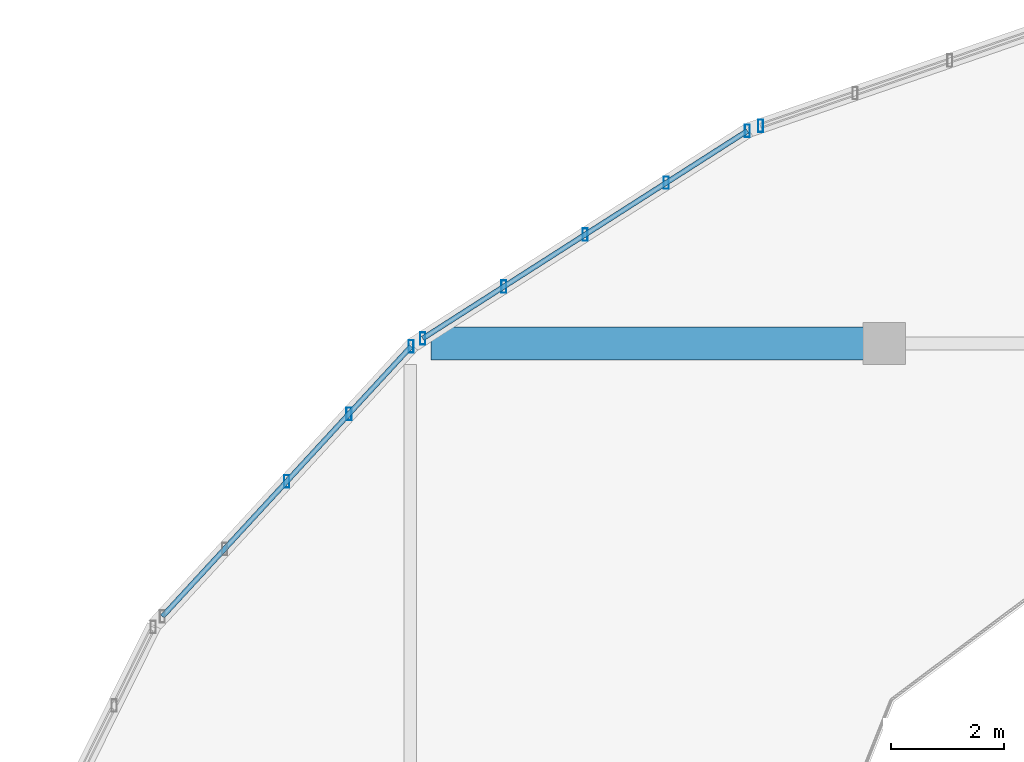
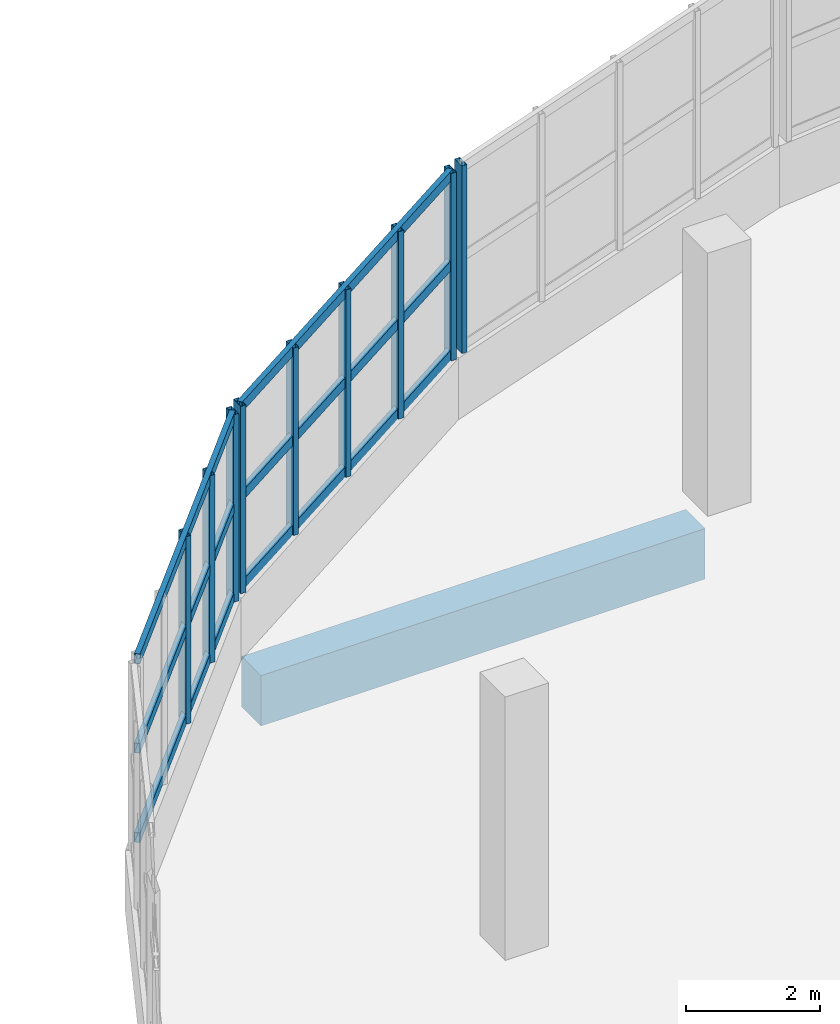
# One storey, part 14 of 77: 15 members, 1 beam, 3 elements without a shape of their own.
"""IFC4 building model written with IfcOpenShell, lengths in metres."""

from ifc_helpers import new_model, si_unit, direction, frame, origin, origin_2d, place, context, subcontext, project, spatial, rectangle, hollow_rectangle, extrude, material, material_profile, profile_set, type_object, element, aggregate, save


model = new_model("IFC4")

# Units and contexts
model_context = context("Model", 3, precision=1e-05, world=origin(), true_north=direction((0.0, 1.0)))
body_context = subcontext(model_context, "Body", "Model", "MODEL_VIEW")
ifc_project = project(units=[si_unit("LENGTHUNIT", "METRE"), si_unit("AREAUNIT", "SQUARE_METRE"), si_unit("VOLUMEUNIT", "CUBIC_METRE"), si_unit("PLANEANGLEUNIT", "RADIAN"), si_unit("MASSUNIT", "GRAM", prefix="KILO")], contexts=[model_context])

# Site, building, storey
site_placement = place(None, origin())
site = spatial("IfcSite", under=ifc_project, at=site_placement, CompositionType="ELEMENT")
building_placement = place(site_placement, origin())
building = spatial("IfcBuilding", under=site, at=building_placement, Name="Solvento Point Concert Hall", CompositionType="ELEMENT")
storey_placement = place(building_placement, frame((0.0, 0.0, 10.199951171875)))
storey = spatial("IfcBuildingStorey", under=building, at=storey_placement, Name="L02", CompositionType="ELEMENT", Elevation=10.199951171875)

# Beam
ifc_material_1 = material(Name="Concrete C35/45", Category="concrete")
ifc_material_profile_1 = material_profile(ifc_material_1, rectangle(XDim=0.580078125, YDim=0.919921875, at=origin_2d()), Name="RC-BM-580X920")
ifc_profile_set_1 = profile_set([ifc_material_profile_1], Name="Concrete C35/45")
beam_type = type_object("IfcBeamType", Name="Girder_RC_580x920", PredefinedType="USERDEFINED", material=ifc_profile_set_1)
beam_placement = place(storey_placement, frame((41.1689453125, 51.0, -0.73388671875), z_axis=(1.0, 0.0, 0.0), x_axis=(0.0, 1.0, 0.0)))
element("IfcBeam", 1, at=beam_placement, inside=storey, type_object=beam_type, Name="Primary girder B-95 L02", ObjectType="GIRDER", PredefinedType="USERDEFINED", context=body_context, shape_type="SweptSolid", body=[
    extrude(rectangle(XDim=0.580078125, YDim=0.919921875, at=origin_2d()), origin(), (0.0, 0.0, 1.0), 7.662109375),
])

# Curtain wall, members
ifc_material_2 = material(Name="Anodized Bronze Aluminium", Category="aluminium")
curtain_wall_type = type_object("IfcCurtainWallType", Name="CurtainWall_RingRibbon_L01_02", PredefinedType="USERDEFINED", material=ifc_material_2)
curtain_wall_1_placement = place(storey_placement, origin())
curtain_wall_1 = element("IfcCurtainWall", 2, at=curtain_wall_1_placement, inside=storey, type_object=curtain_wall_type, Name="Unitised curtain wall CW-59 UCW-L02-172", ObjectType="UNITISED CURTAIN WALL", PredefinedType="USERDEFINED")
ifc_material_3 = material(Name="Anodized Bronze Aluminium", Category="aluminium")
ifc_material_profile_2 = material_profile(ifc_material_3, hollow_rectangle(XDim=0.090087890625, YDim=0.219970703125, WallThickness=0.00439453125, at=origin_2d()), Name="CW-MUL-90X220")
ifc_profile_set_2 = profile_set([ifc_material_profile_2], Name="Anodized Bronze Aluminium")
member_type_1 = type_object("IfcMemberType", Name="Mullion_90x220", PredefinedType="MULLION", material=ifc_profile_set_2)
member_1_placement = place(storey_placement, frame((38.611083984375, 48.55517578125, 1.1201171875), z_axis=(0.0, 0.0, 1.0), x_axis=(1.0, 0.0, 0.0)))
member_1 = element("IfcMember", 3, at=member_1_placement, type_object=member_type_1, Name="Curtain wall mullion ML-02", PredefinedType="MULLION", context=body_context, shape_type="SweptSolid", body=[
    extrude(hollow_rectangle(XDim=0.090087890625, YDim=0.219970703125, WallThickness=0.00439453125, at=origin_2d()), origin(), (0.0, 0.0, 1.0), 3.419921875),
])
member_2_placement = place(storey_placement, frame((39.713134765625, 49.751953125, 1.1201171875), z_axis=(0.0, 0.0, 1.0), x_axis=(1.0, 0.0, 0.0)))
member_2 = element("IfcMember", 4, at=member_2_placement, type_object=member_type_1, Name="Curtain wall mullion ML-02", PredefinedType="MULLION", context=body_context, shape_type="SweptSolid", body=[
    extrude(hollow_rectangle(XDim=0.090087890625, YDim=0.219970703125, WallThickness=0.00439453125, at=origin_2d()), origin(), (0.0, 0.0, 1.0), 3.419921875),
])
member_3_placement = place(storey_placement, frame((40.81494140625, 50.948486328125, 1.1201171875), z_axis=(0.0, 0.0, 1.0), x_axis=(1.0, 0.0, 0.0)))
member_3 = element("IfcMember", 5, at=member_3_placement, type_object=member_type_1, Name="Curtain wall mullion ML-02", PredefinedType="MULLION", context=body_context, shape_type="SweptSolid", body=[
    extrude(hollow_rectangle(XDim=0.090087890625, YDim=0.219970703125, WallThickness=0.00439453125, at=origin_2d()), origin(), (0.0, 0.0, 1.0), 3.419921875),
])

curtain_wall_2_placement = place(storey_placement, origin())
curtain_wall_2 = element("IfcCurtainWall", 6, at=curtain_wall_2_placement, inside=storey, type_object=curtain_wall_type, Name="Unitised curtain wall CW-59 UCW-L02-173", ObjectType="UNITISED CURTAIN WALL", PredefinedType="USERDEFINED")
member_4_placement = place(storey_placement, frame((41.0205078125, 51.089111328125, 1.1201171875), z_axis=(0.0, 0.0, 1.0), x_axis=(1.0, 0.0, 0.0)))
member_4 = element("IfcMember", 7, at=member_4_placement, type_object=member_type_1, Name="Curtain wall mullion ML-02", PredefinedType="MULLION", context=body_context, shape_type="SweptSolid", body=[
    extrude(hollow_rectangle(XDim=0.090087890625, YDim=0.219970703125, WallThickness=0.00439453125, at=origin_2d()), origin(), (0.0, 0.0, 1.0), 3.419921875),
])
member_5_placement = place(storey_placement, frame((42.459228515625, 52.0087890625, 1.1201171875), z_axis=(0.0, 0.0, 1.0), x_axis=(1.0, 0.0, 0.0)))
member_5 = element("IfcMember", 8, at=member_5_placement, type_object=member_type_1, Name="Curtain wall mullion ML-02", PredefinedType="MULLION", context=body_context, shape_type="SweptSolid", body=[
    extrude(hollow_rectangle(XDim=0.090087890625, YDim=0.219970703125, WallThickness=0.00439453125, at=origin_2d()), origin(), (0.0, 0.0, 1.0), 3.419921875),
])
member_6_placement = place(storey_placement, frame((43.897705078125, 52.9287109375, 1.1201171875), z_axis=(0.0, 0.0, 1.0), x_axis=(1.0, 0.0, 0.0)))
member_6 = element("IfcMember", 9, at=member_6_placement, type_object=member_type_1, Name="Curtain wall mullion ML-02", PredefinedType="MULLION", context=body_context, shape_type="SweptSolid", body=[
    extrude(hollow_rectangle(XDim=0.090087890625, YDim=0.219970703125, WallThickness=0.00439453125, at=origin_2d()), origin(), (0.0, 0.0, 1.0), 3.419921875),
])
member_7_placement = place(storey_placement, frame((45.336181640625, 53.8486328125, 1.1201171875), z_axis=(0.0, 0.0, 1.0), x_axis=(1.0, 0.0, 0.0)))
member_7 = element("IfcMember", 10, at=member_7_placement, type_object=member_type_1, Name="Curtain wall mullion ML-02", PredefinedType="MULLION", context=body_context, shape_type="SweptSolid", body=[
    extrude(hollow_rectangle(XDim=0.090087890625, YDim=0.219970703125, WallThickness=0.00439453125, at=origin_2d()), origin(), (0.0, 0.0, 1.0), 3.419921875),
])
member_8_placement = place(storey_placement, frame((46.774658203125, 54.768310546875, 1.1201171875), z_axis=(0.0, 0.0, 1.0), x_axis=(1.0, 0.0, 0.0)))
member_8 = element("IfcMember", 11, at=member_8_placement, type_object=member_type_1, Name="Curtain wall mullion ML-02", PredefinedType="MULLION", context=body_context, shape_type="SweptSolid", body=[
    extrude(hollow_rectangle(XDim=0.090087890625, YDim=0.219970703125, WallThickness=0.00439453125, at=origin_2d()), origin(), (0.0, 0.0, 1.0), 3.419921875),
])

# Curtain wall, member
curtain_wall_3_placement = place(storey_placement, origin())
curtain_wall_3 = element("IfcCurtainWall", 12, at=curtain_wall_3_placement, inside=storey, type_object=curtain_wall_type, Name="Unitised curtain wall CW-59 UCW-L02-174", ObjectType="UNITISED CURTAIN WALL", PredefinedType="USERDEFINED")
member_9_placement = place(storey_placement, frame((47.008056640625, 54.8564453125, 1.1201171875), z_axis=(0.0, 0.0, 1.0), x_axis=(1.0, 0.0, 0.0)))
member_9 = element("IfcMember", 13, at=member_9_placement, type_object=member_type_1, Name="Curtain wall mullion ML-02", PredefinedType="MULLION", context=body_context, shape_type="SweptSolid", body=[
    extrude(hollow_rectangle(XDim=0.090087890625, YDim=0.219970703125, WallThickness=0.00439453125, at=origin_2d()), origin(), (0.0, 0.0, 1.0), 3.419921875),
])
aggregate(curtain_wall_3, [member_9])

# Member
ifc_material_4 = material(Name="Anodized Bronze Aluminium", Category="aluminium")
ifc_material_profile_3 = material_profile(ifc_material_4, hollow_rectangle(XDim=0.090087890625, YDim=0.179931640625, WallThickness=0.00439453125, at=origin_2d()), Name="CW-TRN-90X180")
ifc_profile_set_3 = profile_set([ifc_material_profile_3], Name="Anodized Bronze Aluminium")
member_type_2 = type_object("IfcMemberType", Name="Transom_90x180", PredefinedType="USERDEFINED", material=ifc_profile_set_3)
member_10_placement = place(storey_placement, frame((36.407470703125, 46.161865234375, 1.199951171875), z_axis=(0.677371042666, 0.735641536726, 0.0), x_axis=(-0.735641536726, 0.677371042666, 0.0)))
member_10 = element("IfcMember", 14, at=member_10_placement, type_object=member_type_2, Name="Curtain wall transom TR-02", ObjectType="TRANSOM", PredefinedType="USERDEFINED", context=body_context, shape_type="SweptSolid", body=[
    extrude(hollow_rectangle(XDim=0.090087890625, YDim=0.179931640625, WallThickness=0.00439453125, at=origin_2d()), origin(), (0.0, 0.0, 1.0), 6.5068359375),
])

member_11_placement = place(storey_placement, frame((36.407470703125, 46.161865234375, 2.830078125), z_axis=(0.677371042666, 0.735641536726, 0.0), x_axis=(-0.735641536726, 0.677371042666, 0.0)))
member_11 = element("IfcMember", 15, at=member_11_placement, type_object=member_type_2, Name="Curtain wall transom TR-02", ObjectType="TRANSOM", PredefinedType="USERDEFINED", context=body_context, shape_type="SweptSolid", body=[
    extrude(hollow_rectangle(XDim=0.090087890625, YDim=0.179931640625, WallThickness=0.00439453125, at=origin_2d()), origin(), (0.0, 0.0, 1.0), 6.5068359375),
])

member_12_placement = place(storey_placement, frame((36.407470703125, 46.161865234375, 4.4599609375), z_axis=(0.677371042666, 0.735641536726, 0.0), x_axis=(-0.735641536726, 0.677371042666, 0.0)))
member_12 = element("IfcMember", 16, at=member_12_placement, type_object=member_type_2, Name="Curtain wall transom TR-02", ObjectType="TRANSOM", PredefinedType="USERDEFINED", context=body_context, shape_type="SweptSolid", body=[
    extrude(hollow_rectangle(XDim=0.090087890625, YDim=0.179931640625, WallThickness=0.00439453125, at=origin_2d()), origin(), (0.0, 0.0, 1.0), 6.5068359375),
])

aggregate(curtain_wall_1, [member_1, member_2, member_3, member_10, member_11, member_12])

member_13_placement = place(storey_placement, frame((41.0205078125, 51.089111328125, 1.199951171875), z_axis=(0.84250113822, 0.5386945629, 0.0), x_axis=(-0.5386945629, 0.84250113822, 0.0)))
member_13 = element("IfcMember", 17, at=member_13_placement, type_object=member_type_2, Name="Curtain wall transom TR-02", ObjectType="TRANSOM", PredefinedType="USERDEFINED", context=body_context, shape_type="SweptSolid", body=[
    extrude(hollow_rectangle(XDim=0.090087890625, YDim=0.179931640625, WallThickness=0.00439453125, at=origin_2d()), origin(), (0.0, 0.0, 1.0), 6.829833984375),
])

member_14_placement = place(storey_placement, frame((41.0205078125, 51.089111328125, 2.830078125), z_axis=(0.84250113822, 0.5386945629, 0.0), x_axis=(-0.5386945629, 0.84250113822, 0.0)))
member_14 = element("IfcMember", 18, at=member_14_placement, type_object=member_type_2, Name="Curtain wall transom TR-02", ObjectType="TRANSOM", PredefinedType="USERDEFINED", context=body_context, shape_type="SweptSolid", body=[
    extrude(hollow_rectangle(XDim=0.090087890625, YDim=0.179931640625, WallThickness=0.00439453125, at=origin_2d()), origin(), (0.0, 0.0, 1.0), 6.829833984375),
])

member_15_placement = place(storey_placement, frame((41.0205078125, 51.089111328125, 4.4599609375), z_axis=(0.84250113822, 0.5386945629, 0.0), x_axis=(-0.5386945629, 0.84250113822, 0.0)))
member_15 = element("IfcMember", 19, at=member_15_placement, type_object=member_type_2, Name="Curtain wall transom TR-02", ObjectType="TRANSOM", PredefinedType="USERDEFINED", context=body_context, shape_type="SweptSolid", body=[
    extrude(hollow_rectangle(XDim=0.090087890625, YDim=0.179931640625, WallThickness=0.00439453125, at=origin_2d()), origin(), (0.0, 0.0, 1.0), 6.829833984375),
])

aggregate(curtain_wall_2, [member_4, member_5, member_6, member_7, member_8, member_13, member_14, member_15])

save(model, "model.ifc")
